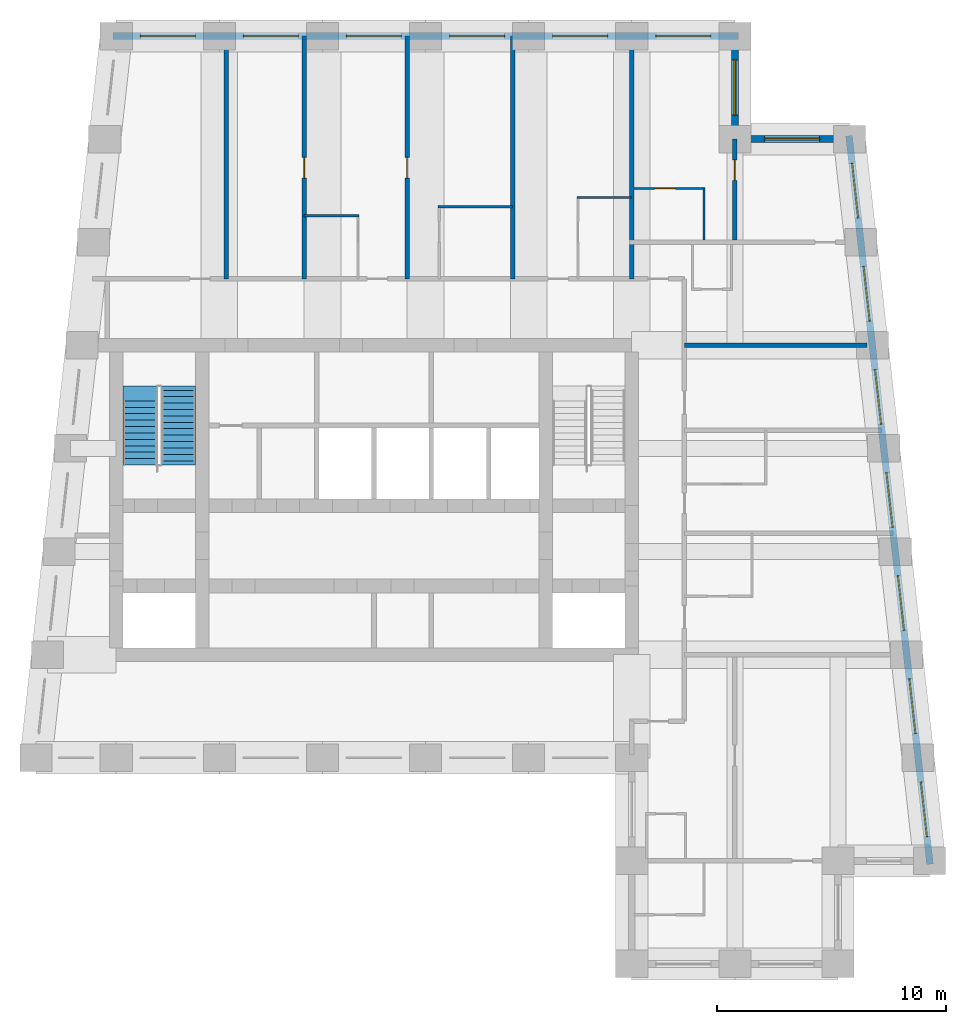
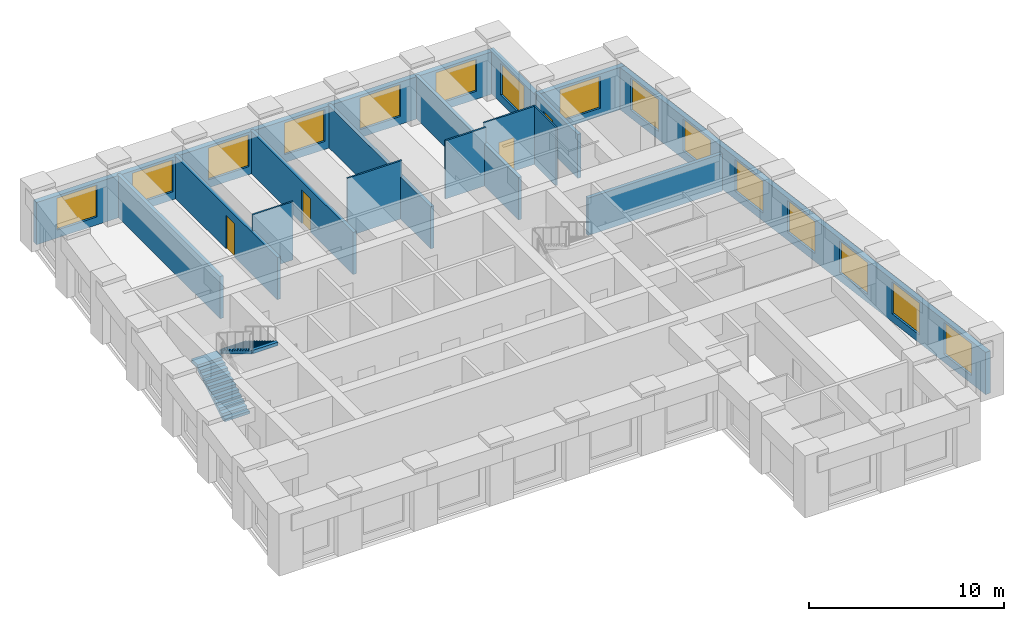
# One storey, part 5 of 7: 16 walls, 15 windows, 4 doors, 2 stair flights, 19 openings, 1 element without a shape of its own.
"""IFC4 building model written with IfcOpenShell, lengths in metres."""

import ifcopenshell
import ifcopenshell.guid

model = None  # the IFC model being written
_history = None  # IfcOwnerHistory: only IFC2X3 demands one
_inside = {}  # id of a spatial element -> (the spatial element, [elements in it])
_under = {}  # id of a project, library or spatial element -> (it, [spatial elements below it])
_declared = {}  # id of a project -> (the project, [libraries it declares])
_typed = {}  # id of a type object -> (the type object, [elements of that type])
_made_of = {}  # id of a material, layer set ... -> (it, [elements and type objects made of it])


def new_model(schema):
    """Start an empty IFC model of exactly this schema.

    Asked for "IFC4X3", IfcOpenShell would pick the latest addendum, in which some entities
    have other attributes; the version numbers below select the first issue.
    IFC2X3 requires an IfcOwnerHistory on every rooted entity: one is made here for all.
    """
    global model, _history
    if schema == "IFC4X3":
        model = ifcopenshell.file(schema_version=(4, 3, 0, 0))
    else:
        model = ifcopenshell.file(schema=schema)
    _inside.clear()
    _under.clear()
    _declared.clear()
    _typed.clear()
    _made_of.clear()
    _history = None
    if model.schema == "IFC2X3":
        org = make("IfcOrganization", Name="unknown")
        user = make(
            "IfcPersonAndOrganization",
            ThePerson=make("IfcPerson", FamilyName="unknown"),
            TheOrganization=org,
        )
        app = make(
            "IfcApplication",
            ApplicationDeveloper=org,
            Version="unknown",
            ApplicationFullName="unknown",
            ApplicationIdentifier="unknown",
        )
        _history = make(
            "IfcOwnerHistory",
            OwningUser=user,
            OwningApplication=app,
            ChangeAction="ADDED",
            CreationDate=0,
        )
    return model


def make(cls, **values):
    """One entity of the class cls with the attributes given. An attribute that is None is left unset."""
    return model.create_entity(
        cls, **{name: value for name, value in values.items() if value is not None}
    )


def rooted(cls, **values):
    """An entity with a GlobalId (a new one), such as an element, a storey or a relation."""
    return make(cls, GlobalId=ifcopenshell.guid.new(), OwnerHistory=_history, **values)


def si_unit(unit_type, name, prefix=None):
    """IfcSIUnit, for example si_unit("LENGTHUNIT", "METRE", prefix="MILLI")."""
    return make("IfcSIUnit", UnitType=unit_type, Prefix=prefix, Name=name)


def assignment(units):
    """IfcUnitAssignment: the units of a project."""
    return None if units is None else make("IfcUnitAssignment", Units=units)


def point(xyz):
    """IfcCartesianPoint."""
    return None if xyz is None else make("IfcCartesianPoint", Coordinates=xyz)


def direction(xyz):
    """IfcDirection."""
    return None if xyz is None else make("IfcDirection", DirectionRatios=xyz)


def frame(location, z_axis=None, x_axis=None):
    """IfcAxis2Placement3D, a coordinate frame: its origin and axes. An axis left out is left unset."""
    return make(
        "IfcAxis2Placement3D",
        Location=point(location),
        Axis=direction(z_axis),
        RefDirection=direction(x_axis),
    )


def frame_2d(location, x_axis=None):
    """IfcAxis2Placement2D, a coordinate frame in the plane: its origin and x axis."""
    return make(
        "IfcAxis2Placement2D", Location=point(location), RefDirection=direction(x_axis)
    )


def origin():
    """The frame at (0, 0, 0) with its axes left unset."""
    return frame((0.0, 0.0, 0.0))


def place(relative_to, where):
    """IfcLocalPlacement: puts the frame where relative to a parent placement (None: the world)."""
    return make(
        "IfcLocalPlacement", PlacementRelTo=relative_to, RelativePlacement=where
    )


def context(
    kind, dimensions, precision=None, world=None, true_north=None, identifier=None
):
    """IfcGeometricRepresentationContext, for example the 3D "Model" context."""
    return make(
        "IfcGeometricRepresentationContext",
        ContextIdentifier=identifier,
        ContextType=kind,
        CoordinateSpaceDimension=dimensions,
        Precision=precision,
        WorldCoordinateSystem=world,
        TrueNorth=true_north,
    )


def subcontext(parent, identifier, kind, view, scale=None):
    """IfcGeometricRepresentationSubContext, for example "Body" below "Model"."""
    return make(
        "IfcGeometricRepresentationSubContext",
        ContextIdentifier=identifier,
        ContextType=kind,
        ParentContext=parent,
        TargetScale=scale,
        TargetView=view,
    )


def project(units=None, contexts=None):
    """IfcProject with its units and contexts."""
    return rooted(
        "IfcProject",
        Name="project",
        RepresentationContexts=contexts,
        UnitsInContext=assignment(units),
    )


def spatial(cls, under=None, at=None, **own):
    """A site, building, storey or space (cls), placed at a placement, below another one or the project."""
    s = rooted(cls, ObjectPlacement=at, **own)
    if under is not None:
        _under.setdefault(under.id(), (under, []))[1].append(s)
    return s


def polyline(points):
    """IfcPolyline through the points."""
    return make("IfcPolyline", Points=[point(p) for p in points])


def profile(cls, at=None, kind="AREA", **sizes):
    """A parametric profile (cls). Its sizes go by their IFC names, for example OverallWidth=200.0."""
    return make(cls, ProfileType=kind, Position=at, **sizes)


def rectangle(**sizes):
    """IfcRectangleProfileDef."""
    return profile("IfcRectangleProfileDef", **sizes)


def outline(outer, holes=None, kind="AREA"):
    """IfcArbitraryClosedProfileDef: a profile drawn as a closed curve; with holes, ...WithVoids."""
    if holes is None:
        return make("IfcArbitraryClosedProfileDef", ProfileType=kind, OuterCurve=outer)
    return make(
        "IfcArbitraryProfileDefWithVoids",
        ProfileType=kind,
        OuterCurve=outer,
        InnerCurves=holes,
    )


def extrude(swept, where, along, depth):
    """IfcExtrudedAreaSolid: the profile swept, set in the frame where, extruded along a direction by depth."""
    return make(
        "IfcExtrudedAreaSolid",
        SweptArea=swept,
        Position=where,
        ExtrudedDirection=direction(along),
        Depth=depth,
    )


def shape(context_of_items, identifier, shape_type, items):
    """IfcShapeRepresentation: the items that make up one representation, for example the "Body"."""
    return make(
        "IfcShapeRepresentation",
        ContextOfItems=context_of_items,
        RepresentationIdentifier=identifier,
        RepresentationType=shape_type,
        Items=items,
    )


def material(Name=None, Category=None):
    """IfcMaterial."""
    return make("IfcMaterial", Name=Name, Category=Category)


def layer(
    of_material, thickness, ventilated=None, Name=None, Category=None, Priority=None
):
    """IfcMaterialLayer: one layer of a wall or slab, of a material (None: an air gap)."""
    return make(
        "IfcMaterialLayer",
        Material=of_material,
        LayerThickness=thickness,
        IsVentilated=ventilated,
        Name=Name,
        Category=Category,
        Priority=Priority,
    )


def layer_set(layers, Name=None):
    """IfcMaterialLayerSet."""
    return make("IfcMaterialLayerSet", MaterialLayers=layers, LayerSetName=Name)


def made_of(thing, what):
    """Note that an element or type object is made of a material, layer set ...; save() writes the relation."""
    if what is not None:
        _made_of.setdefault(what.id(), (what, []))[1].append(thing)
    return thing


def type_object(cls, material=None, **own):
    """A type object (cls), such as IfcWallType, which elements share."""
    return made_of(rooted(cls, **own), material)


def element(
    cls,
    number,
    at=None,
    inside=None,
    cuts=None,
    type_object=None,
    material=None,
    context=None,
    identifier="Body",
    shape_type=None,
    held_by="IfcProductDefinitionShape",
    body=None,
    shapes=None,
    **own,
):
    """One element of the class cls, such as IfcWall. Its Tag is "e" and its number.

    at: its placement. inside: the storey or other place that contains it. cuts: it is an
    opening in that element (IfcRelVoidsElement). A single representation is given by context,
    identifier, shape_type and body (its items); several are given by shapes. held_by: the class
    of the entity that holds the representations. save() writes the other relations.
    """
    e = rooted(cls, Tag="e%d" % number, ObjectPlacement=at, **own)
    if body is not None:
        shapes = [shape(context, identifier, shape_type, body)]
    if shapes is not None:
        e.Representation = make(held_by, Representations=shapes)
    if inside is not None:
        _inside.setdefault(inside.id(), (inside, []))[1].append(e)
    if cuts is not None:
        rooted(
            "IfcRelVoidsElement", RelatingBuildingElement=cuts, RelatedOpeningElement=e
        )
    if type_object is not None:
        _typed.setdefault(type_object.id(), (type_object, []))[1].append(e)
    return made_of(e, material)


def fill(opening, filler):
    """IfcRelFillsElement: the door or window that sits in an opening."""
    return rooted(
        "IfcRelFillsElement",
        RelatingOpeningElement=opening,
        RelatedBuildingElement=filler,
    )


def aggregate(whole, parts):
    """IfcRelAggregates: a whole, such as a stair, and the parts it consists of."""
    return rooted("IfcRelAggregates", RelatingObject=whole, RelatedObjects=parts)


def save(model, path):
    """Write the relations noted so far, then the file.

    IfcRelAggregates (storeys below a building ...), IfcRelContainedInSpatialStructure (elements
    in a storey), IfcRelDefinesByType, IfcRelAssociatesMaterial and IfcRelDeclares: one each for
    every whole, place, type object, material and project.
    """
    for whole, parts in _under.values():
        aggregate(whole, parts)
    for where, things in _inside.values():
        rooted(
            "IfcRelContainedInSpatialStructure",
            RelatedElements=things,
            RelatingStructure=where,
        )
    for kind, things in _typed.values():
        rooted("IfcRelDefinesByType", RelatedObjects=things, RelatingType=kind)
    for what, things in _made_of.values():
        rooted("IfcRelAssociatesMaterial", RelatedObjects=things, RelatingMaterial=what)
    for by, libraries in _declared.values():
        rooted("IfcRelDeclares", RelatingContext=by, RelatedDefinitions=libraries)
    model.write(path)


model = new_model("IFC4")

# Units and contexts
model_context = context("Model", 3, precision=1e-05, world=origin(), true_north=direction((0.0, 1.0)))
body_context = subcontext(model_context, "Body", "Model", "MODEL_VIEW")
ifc_project = project(units=[si_unit("LENGTHUNIT", "METRE"), si_unit("AREAUNIT", "SQUARE_METRE"), si_unit("VOLUMEUNIT", "CUBIC_METRE"), si_unit("PLANEANGLEUNIT", "RADIAN"), si_unit("MASSUNIT", "GRAM", prefix="KILO")], contexts=[model_context])

# Site, building, storey
site_placement = place(None, origin())
site = spatial("IfcSite", under=ifc_project, at=site_placement, CompositionType="ELEMENT")
building_placement = place(site_placement, origin())
building = spatial("IfcBuilding", under=site, at=building_placement, Name="Kilele Tower Hotel", CompositionType="ELEMENT")
storey_placement = place(building_placement, frame((0.0, 0.0, 254.60009765625)))
storey = spatial("IfcBuildingStorey", under=building, at=storey_placement, Name="L65", CompositionType="ELEMENT", Elevation=254.60009765625)

# Walls
ifc_material_1 = material(Name="Moisture-resistant board")
ifc_layer_1 = layer(ifc_material_1, 0.10009765625)
ifc_layer_set_1 = layer_set([ifc_layer_1], Name="Moisture-resistant board")
wall_type_1 = type_object("IfcWallType", Name="Bathroom partition 100", PredefinedType="PLUMBINGWALL", material=ifc_layer_set_1)
wall_1_placement = place(storey_placement, frame((21.699951171875, 32.64990234375, 0.0), z_axis=(0.0, 0.0, 1.0), x_axis=(1.0, 0.0, 0.0)))
element("IfcWall", 1, at=wall_1_placement, inside=storey, type_object=wall_type_1, Name="Bathroom partition 100 L65", PredefinedType="PLUMBINGWALL", context=body_context, shape_type="SweptSolid", body=[
    extrude(rectangle(XDim=2.400146484375, YDim=0.10009765625, at=frame_2d((1.2001953125, 0.0))), origin(), (0.0, 0.0, 1.0), 3.64990234375),
])
wall_2_placement = place(storey_placement, frame((27.550048828125, 33.050048828125, 0.0), z_axis=(0.0, 0.0, 1.0), x_axis=(1.0, 0.0, 0.0)))
element("IfcWall", 2, at=wall_2_placement, inside=storey, type_object=wall_type_1, Name="Bathroom partition 100 L65", PredefinedType="PLUMBINGWALL", context=body_context, shape_type="SweptSolid", body=[
    extrude(rectangle(XDim=3.25, YDim=0.10009765625, at=frame_2d((1.625, 0.0))), origin(), (0.0, 0.0, 1.0), 3.64990234375),
])
wall_3_placement = place(storey_placement, frame((33.60009765625, 33.449951171875, 0.0), z_axis=(0.0, 0.0, 1.0), x_axis=(1.0, 0.0, 0.0)))
element("IfcWall", 3, at=wall_3_placement, inside=storey, type_object=wall_type_1, Name="Bathroom partition 100 L65", PredefinedType="PLUMBINGWALL", context=body_context, shape_type="SweptSolid", body=[
    extrude(rectangle(XDim=2.39990234375, YDim=0.10009765625, at=frame_2d((1.199951171875, 0.0))), origin(), (0.0, 0.0, 1.0), 3.64990234375),
])
wall_4_placement = place(storey_placement, frame((39.14990234375, 31.60009765625, 0.0), z_axis=(0.0, 0.0, 1.0), x_axis=(0.0, 1.0, 0.0)))
element("IfcWall", 4, at=wall_4_placement, inside=storey, type_object=wall_type_1, Name="Bathroom partition 100 L65", PredefinedType="PLUMBINGWALL", context=body_context, shape_type="SweptSolid", body=[
    extrude(rectangle(XDim=2.2998046875, YDim=0.10009765625, at=frame_2d((1.14990234375, 0.0))), origin(), (0.0, 0.0, 1.0), 3.64990234375),
])

# Wall, opening, door
wall_5_placement = place(storey_placement, frame((36.10009765625, 33.85009765625, 0.0), z_axis=(0.0, 0.0, 1.0), x_axis=(1.0, 0.0, 0.0)))
wall_5 = element("IfcWall", 5, at=wall_5_placement, inside=storey, type_object=wall_type_1, Name="Bathroom partition 100 L65", PredefinedType="PLUMBINGWALL", context=body_context, shape_type="SweptSolid", body=[
    extrude(rectangle(XDim=3.099853515625, YDim=0.10009765625, at=frame_2d((1.5498046875, 0.0))), origin(), (0.0, 0.0, 1.0), 3.64990234375),
])
opening_1_placement = place(wall_5_placement, frame((0.89990234375, 0.0, 0.0)))
opening_1 = element("IfcOpeningElement", 6, at=opening_1_placement, cuts=wall_5, Name="Opening D2A", PredefinedType="OPENING", context=body_context, shape_type="SweptSolid", body=[
    extrude(rectangle(XDim=0.89990234375, YDim=2.10009765625, at=frame_2d((0.449951171875, 1.050048828125))), frame((0.0, 0.06005859375, 0.0), z_axis=(0.0, -1.0, 0.0), x_axis=(1.0, 0.0, 0.0)), (0.0, 0.0, 1.0), 0.1201171875),
])
ifc_material_2 = material(Name="Timber door leaf in hardwood frame", Category="wood")
door_type_1 = type_object("IfcDoorType", Name="Bathroom door 900", OperationType="SINGLE_SWING_LEFT", PredefinedType="DOOR", material=ifc_material_2)
door_1_placement = place(opening_1_placement, origin())
door_1 = element("IfcDoor", 7, at=door_1_placement, inside=storey, type_object=door_type_1, Name="Bathroom door 6514B", OperationType="SINGLE_SWING_LEFT", OverallHeight=2.10009765625, OverallWidth=0.89990234375, PredefinedType="DOOR", context=body_context, shape_type="SweptSolid", body=[
    extrude(rectangle(XDim=0.89990234375, YDim=2.10009765625, at=frame_2d((0.449951171875, 1.050048828125))), frame((0.0, 0.02490234375, 0.0), z_axis=(0.0, -1.0, 0.0), x_axis=(1.0, 0.0, 0.0)), (0.0, 0.0, 1.0), 0.050048828125),
])
fill(opening_1, door_1)

ifc_material_3 = material(Name="Blockwork, plastered both sides", Category="masonry")
ifc_layer_2 = layer(ifc_material_3, 0.199951171875)
ifc_layer_set_2 = layer_set([ifc_layer_2], Name="Blockwork, plastered both sides")
wall_type_2 = type_object("IfcWallType", Name="Partition wall 200", PredefinedType="PARTITIONING", material=ifc_layer_set_2)
wall_6_placement = place(storey_placement, frame((40.5, 31.60009765625, 0.0), z_axis=(0.0, 0.0, 1.0), x_axis=(0.0, 1.0, 0.0)))
wall_6 = element("IfcWall", 8, at=wall_6_placement, inside=storey, type_object=wall_type_2, Name="Partition wall 200 L65", PredefinedType="PARTITIONING", context=body_context, shape_type="SweptSolid", body=[
    extrude(rectangle(XDim=4.39990234375, YDim=0.199951171875, at=frame_2d((2.199951171875, 0.0))), origin(), (0.0, 0.0, 1.0), 2.75),
])
opening_2_placement = place(wall_6_placement, frame((2.60009765625, 0.0, 0.0)))
opening_2 = element("IfcOpeningElement", 9, at=opening_2_placement, cuts=wall_6, Name="Opening D3", PredefinedType="OPENING", context=body_context, shape_type="SweptSolid", body=[
    extrude(rectangle(XDim=0.89990234375, YDim=2.10009765625, at=frame_2d((0.449951171875, 1.050048828125))), frame((0.0, 0.10986328125, 0.0), z_axis=(0.0, -1.0, 0.0), x_axis=(1.0, 0.0, 0.0)), (0.0, 0.0, 1.0), 0.219970703125),
])
ifc_material_4 = material(Name="Timber door leaf in hardwood frame", Category="wood")
door_type_2 = type_object("IfcDoorType", Name="Suite internal door 900", OperationType="SINGLE_SWING_LEFT", PredefinedType="DOOR", material=ifc_material_4)
door_2_placement = place(opening_2_placement, origin())
door_2 = element("IfcDoor", 10, at=door_2_placement, inside=storey, type_object=door_type_2, Name="Suite door 6515", OperationType="SINGLE_SWING_RIGHT", OverallHeight=2.10009765625, OverallWidth=0.89990234375, PredefinedType="DOOR", context=body_context, shape_type="SweptSolid", body=[
    extrude(rectangle(XDim=0.89990234375, YDim=2.10009765625, at=frame_2d((0.449951171875, 1.050048828125))), frame((0.0, 0.02490234375, 0.0), z_axis=(0.0, -1.0, 0.0), x_axis=(1.0, 0.0, 0.0)), (0.0, 0.0, 1.0), 0.050048828125),
])
fill(opening_2, door_2)

# Wall
ifc_material_5 = material(Name="Blockwork, plastered both sides", Category="masonry")
ifc_layer_3 = layer(ifc_material_5, 0.199951171875)
ifc_layer_set_3 = layer_set([ifc_layer_3], Name="Blockwork, plastered both sides")
wall_type_3 = type_object("IfcWallType", Name="Party wall 200", PredefinedType="PARTITIONING", material=ifc_layer_set_3)
wall_7_placement = place(storey_placement, frame((18.300048828125, 29.89990234375, 0.0), z_axis=(0.0, 0.0, 1.0), x_axis=(0.0, 1.0, 0.0)))
element("IfcWall", 11, at=wall_7_placement, inside=storey, type_object=wall_type_3, Name="Party wall 200 L65", PredefinedType="PARTITIONING", context=body_context, shape_type="SweptSolid", body=[
    extrude(rectangle(XDim=10.60009765625, YDim=0.199951171875, at=frame_2d((5.300048828125, 0.0))), origin(), (0.0, 0.0, 1.0), 2.64990234375),
])

# Wall, opening, door
wall_8_placement = place(storey_placement, frame((21.699951171875, 29.89990234375, 0.0), z_axis=(0.0, 0.0, 1.0), x_axis=(0.0, 1.0, 0.0)))
wall_8 = element("IfcWall", 12, at=wall_8_placement, inside=storey, type_object=wall_type_3, Name="Party wall 200 L65", PredefinedType="PARTITIONING", context=body_context, shape_type="SweptSolid", body=[
    extrude(rectangle(XDim=10.60009765625, YDim=0.199951171875, at=frame_2d((5.300048828125, 0.0))), origin(), (0.0, 0.0, 1.0), 2.64990234375),
])
opening_3_placement = place(wall_8_placement, frame((5.2998046875, 0.0, 0.0), z_axis=(0.0, 0.0, 1.0), x_axis=(-1.0, 0.0, 0.0)))
opening_3 = element("IfcOpeningElement", 13, at=opening_3_placement, cuts=wall_8, Name="Opening D3", PredefinedType="OPENING", context=body_context, shape_type="SweptSolid", body=[
    extrude(rectangle(XDim=0.89990234375, YDim=2.10009765625, at=frame_2d((0.449951171875, 1.050048828125))), frame((0.0, 0.10986328125, 0.0), z_axis=(0.0, -1.0, 0.0), x_axis=(1.0, 0.0, 0.0)), (0.0, 0.0, 1.0), 0.219970703125),
])
door_3_placement = place(opening_3_placement, origin())
door_3 = element("IfcDoor", 14, at=door_3_placement, inside=storey, type_object=door_type_2, Name="Suite door 6507", OperationType="SINGLE_SWING_RIGHT", OverallHeight=2.10009765625, OverallWidth=0.89990234375, PredefinedType="DOOR", context=body_context, shape_type="SweptSolid", body=[
    extrude(rectangle(XDim=0.89990234375, YDim=2.10009765625, at=frame_2d((0.449951171875, 1.050048828125))), frame((0.0, 0.02490234375, 0.0), z_axis=(0.0, -1.0, 0.0), x_axis=(1.0, 0.0, 0.0)), (0.0, 0.0, 1.0), 0.050048828125),
])
fill(opening_3, door_3)

wall_9_placement = place(storey_placement, frame((26.199951171875, 29.89990234375, 0.0), z_axis=(0.0, 0.0, 1.0), x_axis=(0.0, 1.0, 0.0)))
wall_9 = element("IfcWall", 15, at=wall_9_placement, inside=storey, type_object=wall_type_3, Name="Party wall 200 L65", PredefinedType="PARTITIONING", context=body_context, shape_type="SweptSolid", body=[
    extrude(rectangle(XDim=10.60009765625, YDim=0.199951171875, at=frame_2d((5.300048828125, 0.0))), origin(), (0.0, 0.0, 1.0), 2.64990234375),
])
opening_4_placement = place(wall_9_placement, frame((4.39990234375, 0.0, 0.0)))
opening_4 = element("IfcOpeningElement", 16, at=opening_4_placement, cuts=wall_9, Name="Opening D3", PredefinedType="OPENING", context=body_context, shape_type="SweptSolid", body=[
    extrude(rectangle(XDim=0.89990234375, YDim=2.10009765625, at=frame_2d((0.449951171875, 1.050048828125))), frame((0.0, 0.10986328125, 0.0), z_axis=(0.0, -1.0, 0.0), x_axis=(1.0, 0.0, 0.0)), (0.0, 0.0, 1.0), 0.219970703125),
])
door_4_placement = place(opening_4_placement, origin())
door_4 = element("IfcDoor", 17, at=door_4_placement, inside=storey, type_object=door_type_2, Name="Suite door 6508", OperationType="SINGLE_SWING_LEFT", OverallHeight=2.10009765625, OverallWidth=0.89990234375, PredefinedType="DOOR", context=body_context, shape_type="SweptSolid", body=[
    extrude(rectangle(XDim=0.89990234375, YDim=2.10009765625, at=frame_2d((0.449951171875, 1.050048828125))), frame((0.0, 0.02490234375, 0.0), z_axis=(0.0, -1.0, 0.0), x_axis=(1.0, 0.0, 0.0)), (0.0, 0.0, 1.0), 0.050048828125),
])
fill(opening_4, door_4)

# Walls
wall_10_placement = place(storey_placement, frame((30.800048828125, 29.89990234375, 0.0), z_axis=(0.0, 0.0, 1.0), x_axis=(0.0, 1.0, 0.0)))
element("IfcWall", 18, at=wall_10_placement, inside=storey, type_object=wall_type_3, Name="Party wall 200 L65", PredefinedType="PARTITIONING", context=body_context, shape_type="SweptSolid", body=[
    extrude(rectangle(XDim=10.60009765625, YDim=0.199951171875, at=frame_2d((5.300048828125, 0.0))), origin(), (0.0, 0.0, 1.0), 2.64990234375),
])
wall_11_placement = place(storey_placement, frame((38.300048828125, 27.0, 0.0), z_axis=(0.0, 0.0, 1.0), x_axis=(1.0, 0.0, 0.0)))
element("IfcWall", 19, at=wall_11_placement, inside=storey, type_object=wall_type_3, Name="Party wall 200 L65", PredefinedType="PARTITIONING", context=body_context, shape_type="SweptSolid", body=[
    extrude(rectangle(XDim=7.976806640625, YDim=0.199951171875, at=frame_2d((3.98828125, 0.0))), origin(), (0.0, 0.0, 1.0), 2.349853515625),
])
wall_12_placement = place(storey_placement, frame((36.0, 29.89990234375, 0.0), z_axis=(0.0, 0.0, 1.0), x_axis=(0.0, 1.0, 0.0)))
element("IfcWall", 20, at=wall_12_placement, inside=storey, type_object=wall_type_3, Name="Party wall 200 L65", PredefinedType="PARTITIONING", context=body_context, shape_type="SweptSolid", body=[
    extrude(rectangle(XDim=10.60009765625, YDim=0.199951171875, at=frame_2d((5.300048828125, 0.0))), origin(), (0.0, 0.0, 1.0), 2.64990234375),
])

# Wall, openings, windows
ifc_material_6 = material(Name="Concrete C40/50 precast", Category="concrete")
ifc_layer_4 = layer(ifc_material_6, 0.260009765625, Name="Precast backing", Category="LoadBearing")
ifc_material_7 = material(Name="Reconstituted stone finish", Category="masonry")
ifc_layer_5 = layer(ifc_material_7, 0.0400390625, Name="Face mix", Category="Finish")
ifc_layer_set_4 = layer_set([ifc_layer_4, ifc_layer_5], Name="Precast concrete C40/50, reconstituted stone finish")
wall_type_4 = type_object("IfcWallType", Name="Precast stone facade wall 300", PredefinedType="STANDARD", material=ifc_layer_set_4)
wall_13_placement = place(storey_placement, frame((49.0166015625, 4.350830078125, 0.0), z_axis=(0.0, 0.0, 1.0), x_axis=(-0.110433201132, 0.993883548555, 0.0)))
wall_13 = element("IfcWall", 21, at=wall_13_placement, inside=storey, type_object=wall_type_4, Name="Facade wall L65 edge 6", PredefinedType="STANDARD", context=body_context, shape_type="SweptSolid", body=[
    extrude(rectangle(XDim=31.994140625, YDim=0.300048828125, at=frame_2d((15.9970703125, 0.0))), origin(), (0.0, 0.0, 1.0), 2.64990234375),
])
opening_5_placement = place(wall_13_placement, frame((1.214111328125, 0.0, 0.5)))
opening_5 = element("IfcOpeningElement", 22, at=opening_5_placement, cuts=wall_13, Name="Opening W4", PredefinedType="OPENING", context=body_context, shape_type="SweptSolid", body=[
    extrude(rectangle(XDim=2.39990234375, YDim=2.0, at=frame_2d((1.199951171875, 1.0))), frame((0.0, 0.159912109375, 0.0), z_axis=(0.0, -1.0, 0.0), x_axis=(1.0, 0.0, 0.0)), (0.0, 0.0, 1.0), 0.320068359375),
])
opening_6_placement = place(wall_13_placement, frame((5.741943359375, 0.0, 0.5)))
opening_6 = element("IfcOpeningElement", 23, at=opening_6_placement, cuts=wall_13, Name="Opening W4", PredefinedType="OPENING", context=body_context, shape_type="SweptSolid", body=[
    extrude(rectangle(XDim=2.39990234375, YDim=2.0, at=frame_2d((1.199951171875, 1.0))), frame((0.0, 0.159912109375, 0.0), z_axis=(0.0, -1.0, 0.0), x_axis=(1.0, 0.0, 0.0)), (0.0, 0.0, 1.0), 0.320068359375),
])
opening_7_placement = place(wall_13_placement, frame((10.26904296875, 0.0, 0.5)))
opening_7 = element("IfcOpeningElement", 24, at=opening_7_placement, cuts=wall_13, Name="Opening W4", PredefinedType="OPENING", context=body_context, shape_type="SweptSolid", body=[
    extrude(rectangle(XDim=2.39990234375, YDim=2.0, at=frame_2d((1.199951171875, 1.0))), frame((0.0, 0.159912109375, 0.0), z_axis=(0.0, -1.0, 0.0), x_axis=(1.0, 0.0, 0.0)), (0.0, 0.0, 1.0), 0.320068359375),
])
opening_8_placement = place(wall_13_placement, frame((14.797119140625, 0.0, 0.5)))
opening_8 = element("IfcOpeningElement", 25, at=opening_8_placement, cuts=wall_13, Name="Opening W4", PredefinedType="OPENING", context=body_context, shape_type="SweptSolid", body=[
    extrude(rectangle(XDim=2.39990234375, YDim=2.0, at=frame_2d((1.199951171875, 1.0))), frame((0.0, 0.159912109375, 0.0), z_axis=(0.0, -1.0, 0.0), x_axis=(1.0, 0.0, 0.0)), (0.0, 0.0, 1.0), 0.320068359375),
])
opening_9_placement = place(wall_13_placement, frame((19.324951171875, 0.0, 0.5)))
opening_9 = element("IfcOpeningElement", 26, at=opening_9_placement, cuts=wall_13, Name="Opening W4", PredefinedType="OPENING", context=body_context, shape_type="SweptSolid", body=[
    extrude(rectangle(XDim=2.39990234375, YDim=2.0, at=frame_2d((1.199951171875, 1.0))), frame((0.0, 0.159912109375, 0.0), z_axis=(0.0, -1.0, 0.0), x_axis=(1.0, 0.0, 0.0)), (0.0, 0.0, 1.0), 0.320068359375),
])
opening_10_placement = place(wall_13_placement, frame((23.85205078125, 0.0, 0.5)))
opening_10 = element("IfcOpeningElement", 27, at=opening_10_placement, cuts=wall_13, Name="Opening W4", PredefinedType="OPENING", context=body_context, shape_type="SweptSolid", body=[
    extrude(rectangle(XDim=2.39990234375, YDim=2.0, at=frame_2d((1.199951171875, 1.0))), frame((0.0, 0.159912109375, 0.0), z_axis=(0.0, -1.0, 0.0), x_axis=(1.0, 0.0, 0.0)), (0.0, 0.0, 1.0), 0.320068359375),
])
opening_11_placement = place(wall_13_placement, frame((28.3798828125, 0.0, 0.5)))
opening_11 = element("IfcOpeningElement", 28, at=opening_11_placement, cuts=wall_13, Name="Opening W4", PredefinedType="OPENING", context=body_context, shape_type="SweptSolid", body=[
    extrude(rectangle(XDim=2.39990234375, YDim=2.0, at=frame_2d((1.199951171875, 1.0))), frame((0.0, 0.159912109375, 0.0), z_axis=(0.0, -1.0, 0.0), x_axis=(1.0, 0.0, 0.0)), (0.0, 0.0, 1.0), 0.320068359375),
])
ifc_material_8 = material(Name="Aluminium frame, clear double glazing", Category="aluminium")
window_type = type_object("IfcWindowType", Name="Window W4 2400 x 2000", PartitioningType="SINGLE_PANEL", PredefinedType="WINDOW", material=ifc_material_8)
window_1_placement = place(opening_5_placement, origin())
window_1 = element("IfcWindow", 29, at=window_1_placement, inside=storey, type_object=window_type, Name="Window L65", OverallHeight=2.0, OverallWidth=2.39990234375, PartitioningType="SINGLE_PANEL", PredefinedType="WINDOW", context=body_context, shape_type="SweptSolid", body=[
    extrude(rectangle(XDim=2.39990234375, YDim=2.0, at=frame_2d((1.199951171875, 1.0))), frame((0.0, 0.030029296875, 0.0), z_axis=(0.0, -1.0, 0.0), x_axis=(1.0, 0.0, 0.0)), (0.0, 0.0, 1.0), 0.06005859375),
])
fill(opening_5, window_1)
window_2_placement = place(opening_6_placement, origin())
window_2 = element("IfcWindow", 30, at=window_2_placement, inside=storey, type_object=window_type, Name="Window L65", OverallHeight=2.0, OverallWidth=2.39990234375, PartitioningType="SINGLE_PANEL", PredefinedType="WINDOW", context=body_context, shape_type="SweptSolid", body=[
    extrude(rectangle(XDim=2.39990234375, YDim=2.0, at=frame_2d((1.199951171875, 1.0))), frame((0.0, 0.030029296875, 0.0), z_axis=(0.0, -1.0, 0.0), x_axis=(1.0, 0.0, 0.0)), (0.0, 0.0, 1.0), 0.06005859375),
])
fill(opening_6, window_2)
window_3_placement = place(opening_7_placement, origin())
window_3 = element("IfcWindow", 31, at=window_3_placement, inside=storey, type_object=window_type, Name="Window L65", OverallHeight=2.0, OverallWidth=2.39990234375, PartitioningType="SINGLE_PANEL", PredefinedType="WINDOW", context=body_context, shape_type="SweptSolid", body=[
    extrude(rectangle(XDim=2.39990234375, YDim=2.0, at=frame_2d((1.199951171875, 1.0))), frame((0.0, 0.030029296875, 0.0), z_axis=(0.0, -1.0, 0.0), x_axis=(1.0, 0.0, 0.0)), (0.0, 0.0, 1.0), 0.06005859375),
])
fill(opening_7, window_3)
window_4_placement = place(opening_8_placement, origin())
window_4 = element("IfcWindow", 32, at=window_4_placement, inside=storey, type_object=window_type, Name="Window L65", OverallHeight=2.0, OverallWidth=2.39990234375, PartitioningType="SINGLE_PANEL", PredefinedType="WINDOW", context=body_context, shape_type="SweptSolid", body=[
    extrude(rectangle(XDim=2.39990234375, YDim=2.0, at=frame_2d((1.199951171875, 1.0))), frame((0.0, 0.030029296875, 0.0), z_axis=(0.0, -1.0, 0.0), x_axis=(1.0, 0.0, 0.0)), (0.0, 0.0, 1.0), 0.06005859375),
])
fill(opening_8, window_4)
window_5_placement = place(opening_9_placement, origin())
window_5 = element("IfcWindow", 33, at=window_5_placement, inside=storey, type_object=window_type, Name="Window L65", OverallHeight=2.0, OverallWidth=2.39990234375, PartitioningType="SINGLE_PANEL", PredefinedType="WINDOW", context=body_context, shape_type="SweptSolid", body=[
    extrude(rectangle(XDim=2.39990234375, YDim=2.0, at=frame_2d((1.199951171875, 1.0))), frame((0.0, 0.030029296875, 0.0), z_axis=(0.0, -1.0, 0.0), x_axis=(1.0, 0.0, 0.0)), (0.0, 0.0, 1.0), 0.06005859375),
])
fill(opening_9, window_5)
window_6_placement = place(opening_10_placement, origin())
window_6 = element("IfcWindow", 34, at=window_6_placement, inside=storey, type_object=window_type, Name="Window L65", OverallHeight=2.0, OverallWidth=2.39990234375, PartitioningType="SINGLE_PANEL", PredefinedType="WINDOW", context=body_context, shape_type="SweptSolid", body=[
    extrude(rectangle(XDim=2.39990234375, YDim=2.0, at=frame_2d((1.199951171875, 1.0))), frame((0.0, 0.030029296875, 0.0), z_axis=(0.0, -1.0, 0.0), x_axis=(1.0, 0.0, 0.0)), (0.0, 0.0, 1.0), 0.06005859375),
])
fill(opening_10, window_6)
window_7_placement = place(opening_11_placement, origin())
window_7 = element("IfcWindow", 35, at=window_7_placement, inside=storey, type_object=window_type, Name="Window L65", OverallHeight=2.0, OverallWidth=2.39990234375, PartitioningType="SINGLE_PANEL", PredefinedType="WINDOW", context=body_context, shape_type="SweptSolid", body=[
    extrude(rectangle(XDim=2.39990234375, YDim=2.0, at=frame_2d((1.199951171875, 1.0))), frame((0.0, 0.030029296875, 0.0), z_axis=(0.0, -1.0, 0.0), x_axis=(1.0, 0.0, 0.0)), (0.0, 0.0, 1.0), 0.06005859375),
])
fill(opening_11, window_7)

# Wall, opening, window
wall_14_placement = place(storey_placement, frame((45.64990234375, 36.0, 0.0), z_axis=(0.0, 0.0, 1.0), x_axis=(-1.0, 0.0, 0.0)))
wall_14 = element("IfcWall", 36, at=wall_14_placement, inside=storey, type_object=wall_type_4, Name="Facade wall L65 edge 7", PredefinedType="STANDARD", context=body_context, shape_type="SweptSolid", body=[
    extrude(rectangle(XDim=5.2998046875, YDim=0.300048828125, at=frame_2d((2.64990234375, 0.0))), origin(), (0.0, 0.0, 1.0), 2.64990234375),
])
opening_12_placement = place(wall_14_placement, frame((1.449951171875, 0.0, 0.5)))
opening_12 = element("IfcOpeningElement", 37, at=opening_12_placement, cuts=wall_14, Name="Opening W4", PredefinedType="OPENING", context=body_context, shape_type="SweptSolid", body=[
    extrude(rectangle(XDim=2.39990234375, YDim=2.0, at=frame_2d((1.199951171875, 1.0))), frame((0.0, 0.159912109375, 0.0), z_axis=(0.0, -1.0, 0.0), x_axis=(1.0, 0.0, 0.0)), (0.0, 0.0, 1.0), 0.320068359375),
])
window_8_placement = place(opening_12_placement, origin())
window_8 = element("IfcWindow", 38, at=window_8_placement, inside=storey, type_object=window_type, Name="Window L65", OverallHeight=2.0, OverallWidth=2.39990234375, PartitioningType="SINGLE_PANEL", PredefinedType="WINDOW", context=body_context, shape_type="SweptSolid", body=[
    extrude(rectangle(XDim=2.39990234375, YDim=2.0, at=frame_2d((1.199951171875, 1.0))), frame((0.0, 0.030029296875, 0.0), z_axis=(0.0, -1.0, 0.0), x_axis=(1.0, 0.0, 0.0)), (0.0, 0.0, 1.0), 0.06005859375),
])
fill(opening_12, window_8)

wall_15_placement = place(storey_placement, frame((40.5, 35.85009765625, 0.0), z_axis=(0.0, 0.0, 1.0), x_axis=(0.0, 1.0, 0.0)))
wall_15 = element("IfcWall", 39, at=wall_15_placement, inside=storey, type_object=wall_type_4, Name="Facade wall L65 edge 8", PredefinedType="STANDARD", context=body_context, shape_type="SweptSolid", body=[
    extrude(rectangle(XDim=4.7998046875, YDim=0.300048828125, at=frame_2d((2.39990234375, 0.0))), origin(), (0.0, 0.0, 1.0), 2.64990234375),
])
opening_13_placement = place(wall_15_placement, frame((1.199951171875, 0.0, 0.5)))
opening_13 = element("IfcOpeningElement", 40, at=opening_13_placement, cuts=wall_15, Name="Opening W4", PredefinedType="OPENING", context=body_context, shape_type="SweptSolid", body=[
    extrude(rectangle(XDim=2.39990234375, YDim=2.0, at=frame_2d((1.199951171875, 1.0))), frame((0.0, 0.159912109375, 0.0), z_axis=(0.0, -1.0, 0.0), x_axis=(1.0, 0.0, 0.0)), (0.0, 0.0, 1.0), 0.320068359375),
])
window_9_placement = place(opening_13_placement, origin())
window_9 = element("IfcWindow", 41, at=window_9_placement, inside=storey, type_object=window_type, Name="Window L65", OverallHeight=2.0, OverallWidth=2.39990234375, PartitioningType="SINGLE_PANEL", PredefinedType="WINDOW", context=body_context, shape_type="SweptSolid", body=[
    extrude(rectangle(XDim=2.39990234375, YDim=2.0, at=frame_2d((1.199951171875, 1.0))), frame((0.0, 0.030029296875, 0.0), z_axis=(0.0, -1.0, 0.0), x_axis=(1.0, 0.0, 0.0)), (0.0, 0.0, 1.0), 0.06005859375),
])
fill(opening_13, window_9)

# Wall, openings, windows
wall_16_placement = place(storey_placement, frame((40.64990234375, 40.5, 0.0), z_axis=(0.0, 0.0, 1.0), x_axis=(-1.0, 0.0, 0.0)))
wall_16 = element("IfcWall", 42, at=wall_16_placement, inside=storey, type_object=wall_type_4, Name="Facade wall L65 edge 9", PredefinedType="STANDARD", context=body_context, shape_type="SweptSolid", body=[
    extrude(rectangle(XDim=27.2998046875, YDim=0.300048828125, at=frame_2d((13.64990234375, 0.0))), origin(), (0.0, 0.0, 1.0), 2.64990234375),
])
opening_14_placement = place(wall_16_placement, frame((1.199951171875, 0.0, 0.5)))
opening_14 = element("IfcOpeningElement", 43, at=opening_14_placement, cuts=wall_16, Name="Opening W4", PredefinedType="OPENING", context=body_context, shape_type="SweptSolid", body=[
    extrude(rectangle(XDim=2.39990234375, YDim=2.0, at=frame_2d((1.199951171875, 1.0))), frame((0.0, 0.159912109375, 0.0), z_axis=(0.0, -1.0, 0.0), x_axis=(1.0, 0.0, 0.0)), (0.0, 0.0, 1.0), 0.320068359375),
])
opening_15_placement = place(wall_16_placement, frame((5.699951171875, 0.0, 0.5)))
opening_15 = element("IfcOpeningElement", 44, at=opening_15_placement, cuts=wall_16, Name="Opening W4", PredefinedType="OPENING", context=body_context, shape_type="SweptSolid", body=[
    extrude(rectangle(XDim=2.39990234375, YDim=2.0, at=frame_2d((1.199951171875, 1.0))), frame((0.0, 0.159912109375, 0.0), z_axis=(0.0, -1.0, 0.0), x_axis=(1.0, 0.0, 0.0)), (0.0, 0.0, 1.0), 0.320068359375),
])
opening_16_placement = place(wall_16_placement, frame((10.199951171875, 0.0, 0.5)))
opening_16 = element("IfcOpeningElement", 45, at=opening_16_placement, cuts=wall_16, Name="Opening W4", PredefinedType="OPENING", context=body_context, shape_type="SweptSolid", body=[
    extrude(rectangle(XDim=2.39990234375, YDim=2.0, at=frame_2d((1.199951171875, 1.0))), frame((0.0, 0.159912109375, 0.0), z_axis=(0.0, -1.0, 0.0), x_axis=(1.0, 0.0, 0.0)), (0.0, 0.0, 1.0), 0.320068359375),
])
opening_17_placement = place(wall_16_placement, frame((14.699951171875, 0.0, 0.5)))
opening_17 = element("IfcOpeningElement", 46, at=opening_17_placement, cuts=wall_16, Name="Opening W4", PredefinedType="OPENING", context=body_context, shape_type="SweptSolid", body=[
    extrude(rectangle(XDim=2.39990234375, YDim=2.0, at=frame_2d((1.199951171875, 1.0))), frame((0.0, 0.159912109375, 0.0), z_axis=(0.0, -1.0, 0.0), x_axis=(1.0, 0.0, 0.0)), (0.0, 0.0, 1.0), 0.320068359375),
])
opening_18_placement = place(wall_16_placement, frame((19.199951171875, 0.0, 0.5)))
opening_18 = element("IfcOpeningElement", 47, at=opening_18_placement, cuts=wall_16, Name="Opening W4", PredefinedType="OPENING", context=body_context, shape_type="SweptSolid", body=[
    extrude(rectangle(XDim=2.39990234375, YDim=2.0, at=frame_2d((1.199951171875, 1.0))), frame((0.0, 0.159912109375, 0.0), z_axis=(0.0, -1.0, 0.0), x_axis=(1.0, 0.0, 0.0)), (0.0, 0.0, 1.0), 0.320068359375),
])
opening_19_placement = place(wall_16_placement, frame((23.699951171875, 0.0, 0.5)))
opening_19 = element("IfcOpeningElement", 48, at=opening_19_placement, cuts=wall_16, Name="Opening W4", PredefinedType="OPENING", context=body_context, shape_type="SweptSolid", body=[
    extrude(rectangle(XDim=2.39990234375, YDim=2.0, at=frame_2d((1.199951171875, 1.0))), frame((0.0, 0.159912109375, 0.0), z_axis=(0.0, -1.0, 0.0), x_axis=(1.0, 0.0, 0.0)), (0.0, 0.0, 1.0), 0.320068359375),
])
window_10_placement = place(opening_14_placement, origin())
window_10 = element("IfcWindow", 49, at=window_10_placement, inside=storey, type_object=window_type, Name="Window L65", OverallHeight=2.0, OverallWidth=2.39990234375, PartitioningType="SINGLE_PANEL", PredefinedType="WINDOW", context=body_context, shape_type="SweptSolid", body=[
    extrude(rectangle(XDim=2.39990234375, YDim=2.0, at=frame_2d((1.199951171875, 1.0))), frame((0.0, 0.030029296875, 0.0), z_axis=(0.0, -1.0, 0.0), x_axis=(1.0, 0.0, 0.0)), (0.0, 0.0, 1.0), 0.06005859375),
])
fill(opening_14, window_10)
window_11_placement = place(opening_15_placement, origin())
window_11 = element("IfcWindow", 50, at=window_11_placement, inside=storey, type_object=window_type, Name="Window L65", OverallHeight=2.0, OverallWidth=2.39990234375, PartitioningType="SINGLE_PANEL", PredefinedType="WINDOW", context=body_context, shape_type="SweptSolid", body=[
    extrude(rectangle(XDim=2.39990234375, YDim=2.0, at=frame_2d((1.199951171875, 1.0))), frame((0.0, 0.030029296875, 0.0), z_axis=(0.0, -1.0, 0.0), x_axis=(1.0, 0.0, 0.0)), (0.0, 0.0, 1.0), 0.06005859375),
])
fill(opening_15, window_11)
window_12_placement = place(opening_16_placement, origin())
window_12 = element("IfcWindow", 51, at=window_12_placement, inside=storey, type_object=window_type, Name="Window L65", OverallHeight=2.0, OverallWidth=2.39990234375, PartitioningType="SINGLE_PANEL", PredefinedType="WINDOW", context=body_context, shape_type="SweptSolid", body=[
    extrude(rectangle(XDim=2.39990234375, YDim=2.0, at=frame_2d((1.199951171875, 1.0))), frame((0.0, 0.030029296875, 0.0), z_axis=(0.0, -1.0, 0.0), x_axis=(1.0, 0.0, 0.0)), (0.0, 0.0, 1.0), 0.06005859375),
])
fill(opening_16, window_12)
window_13_placement = place(opening_17_placement, origin())
window_13 = element("IfcWindow", 52, at=window_13_placement, inside=storey, type_object=window_type, Name="Window L65", OverallHeight=2.0, OverallWidth=2.39990234375, PartitioningType="SINGLE_PANEL", PredefinedType="WINDOW", context=body_context, shape_type="SweptSolid", body=[
    extrude(rectangle(XDim=2.39990234375, YDim=2.0, at=frame_2d((1.199951171875, 1.0))), frame((0.0, 0.030029296875, 0.0), z_axis=(0.0, -1.0, 0.0), x_axis=(1.0, 0.0, 0.0)), (0.0, 0.0, 1.0), 0.06005859375),
])
fill(opening_17, window_13)
window_14_placement = place(opening_18_placement, origin())
window_14 = element("IfcWindow", 53, at=window_14_placement, inside=storey, type_object=window_type, Name="Window L65", OverallHeight=2.0, OverallWidth=2.39990234375, PartitioningType="SINGLE_PANEL", PredefinedType="WINDOW", context=body_context, shape_type="SweptSolid", body=[
    extrude(rectangle(XDim=2.39990234375, YDim=2.0, at=frame_2d((1.199951171875, 1.0))), frame((0.0, 0.030029296875, 0.0), z_axis=(0.0, -1.0, 0.0), x_axis=(1.0, 0.0, 0.0)), (0.0, 0.0, 1.0), 0.06005859375),
])
fill(opening_18, window_14)
window_15_placement = place(opening_19_placement, origin())
window_15 = element("IfcWindow", 54, at=window_15_placement, inside=storey, type_object=window_type, Name="Window L65", OverallHeight=2.0, OverallWidth=2.39990234375, PartitioningType="SINGLE_PANEL", PredefinedType="WINDOW", context=body_context, shape_type="SweptSolid", body=[
    extrude(rectangle(XDim=2.39990234375, YDim=2.0, at=frame_2d((1.199951171875, 1.0))), frame((0.0, 0.030029296875, 0.0), z_axis=(0.0, -1.0, 0.0), x_axis=(1.0, 0.0, 0.0)), (0.0, 0.0, 1.0), 0.06005859375),
])
fill(opening_19, window_15)

# Stair, stair flights
ifc_material_9 = material(Name="Precast concrete C40/50", Category="concrete")
stair_type = type_object("IfcStairType", Name="Stair 1475 x 3900", PredefinedType="HALF_TURN_STAIR", material=ifc_material_9)
stair_placement = place(storey_placement, origin())
stair = element("IfcStair", 55, at=stair_placement, inside=storey, type_object=stair_type, Name="Stair 1 L65", PredefinedType="HALF_TURN_STAIR")
ifc_material_10 = material(Name="Precast concrete C40/50", Category="concrete")
stair_flight_type = type_object("IfcStairFlightType", Name="Flight 1475 riser 169.6", PredefinedType="STRAIGHT", material=ifc_material_10)
stair_flight_1_placement = place(storey_placement, frame((14.53759765625, 21.77490234375, 0.0), z_axis=(0.0, 0.0, 1.0), x_axis=(0.0, 1.0, 0.0)))
stair_flight_1 = element("IfcStairFlight", 56, at=stair_flight_1_placement, type_object=stair_flight_type, Name="ST1 flight 1", NumberOfRisers=11, NumberOfTreads=10, PredefinedType="STRAIGHT", RiserHeight=0.169565217, TreadLength=0.28, context=body_context, shape_type="SweptSolid", body=[
    extrude(outline(polyline([(0.0, 0.0), (0.0, 0.169677734375), (0.280029296875, 0.169677734375), (0.280029296875, 0.339111328125), (0.56005859375, 0.339111328125), (0.56005859375, 0.5087890625), (0.840087890625, 0.5087890625), (0.840087890625, 0.67822265625), (1.1201171875, 0.67822265625), (1.1201171875, 0.847900390625), (1.39990234375, 0.847900390625), (1.39990234375, 1.017333984375), (1.679931640625, 1.017333984375), (1.679931640625, 1.18701171875), (1.9599609375, 1.18701171875), (1.9599609375, 1.3564453125), (2.239990234375, 1.3564453125), (2.239990234375, 1.526123046875), (2.52001953125, 1.526123046875), (2.52001953125, 1.695556640625), (2.800048828125, 1.695556640625), (2.800048828125, 1.865234375), (2.800048828125, 1.5205078125), (0.289306640625, 0.0), (0.0, 0.0)])), frame((0.0, 0.737548828125, 0.0), z_axis=(0.0, -1.0, 0.0), x_axis=(1.0, 0.0, 0.0)), (0.0, 0.0, 1.0), 1.47509765625),
    extrude(outline(polyline([(2.800048828125, 0.737548828125), (2.800048828125, -0.7373046875), (3.4501953125, -0.7373046875), (3.4501953125, 0.737548828125), (2.800048828125, 0.737548828125)])), frame((0.0, 0.0, 1.6650390625)), (0.0, 0.0, 1.0), 0.199951171875),
])
stair_flight_2_placement = place(storey_placement, frame((16.21240234375, 25.0400390625, 1.865234375), z_axis=(0.0, 0.0, 1.0), x_axis=(0.0, -1.0, 0.0)))
stair_flight_2 = element("IfcStairFlight", 57, at=stair_flight_2_placement, type_object=stair_flight_type, Name="ST1 flight 2", NumberOfRisers=12, NumberOfTreads=11, PredefinedType="STRAIGHT", RiserHeight=0.169565217, TreadLength=0.28, context=body_context, shape_type="SweptSolid", body=[
    extrude(outline(polyline([(0.0, 0.0), (0.0, 0.169677734375), (0.280029296875, 0.169677734375), (0.280029296875, 0.339111328125), (0.56005859375, 0.339111328125), (0.56005859375, 0.5087890625), (0.840087890625, 0.5087890625), (0.840087890625, 0.67822265625), (1.1201171875, 0.67822265625), (1.1201171875, 0.847900390625), (1.39990234375, 0.847900390625), (1.39990234375, 1.017333984375), (1.679931640625, 1.017333984375), (1.679931640625, 1.18701171875), (1.9599609375, 1.18701171875), (1.9599609375, 1.3564453125), (2.239990234375, 1.3564453125), (2.239990234375, 1.526123046875), (2.52001953125, 1.526123046875), (2.52001953125, 1.695556640625), (2.800048828125, 1.695556640625), (2.800048828125, 1.865234375), (3.080078125, 1.865234375), (3.080078125, 2.03466796875), (3.080078125, 1.68994140625), (0.289306640625, 0.0), (0.0, 0.0)])), frame((0.0, 0.737548828125, 0.0), z_axis=(0.0, -1.0, 0.0), x_axis=(1.0, 0.0, 0.0)), (0.0, 0.0, 1.0), 1.47509765625),
    extrude(outline(polyline([(0.0, -0.7373046875), (0.0, 0.737548828125), (-0.18505859375, 0.737548828125), (-0.18505859375, -0.7373046875), (0.0, -0.7373046875)])), frame((0.0, 0.0, -0.2001953125)), (0.0, 0.0, 1.0), 0.199951171875),
    extrude(outline(polyline([(3.26513671875, -0.7373046875), (3.26513671875, 0.737548828125), (3.080078125, 0.737548828125), (3.080078125, -0.7373046875), (3.26513671875, -0.7373046875)])), frame((0.0, 0.0, 1.834716796875)), (0.0, 0.0, 1.0), 0.199951171875),
])
aggregate(stair, [stair_flight_1, stair_flight_2])

save(model, "model.ifc")
